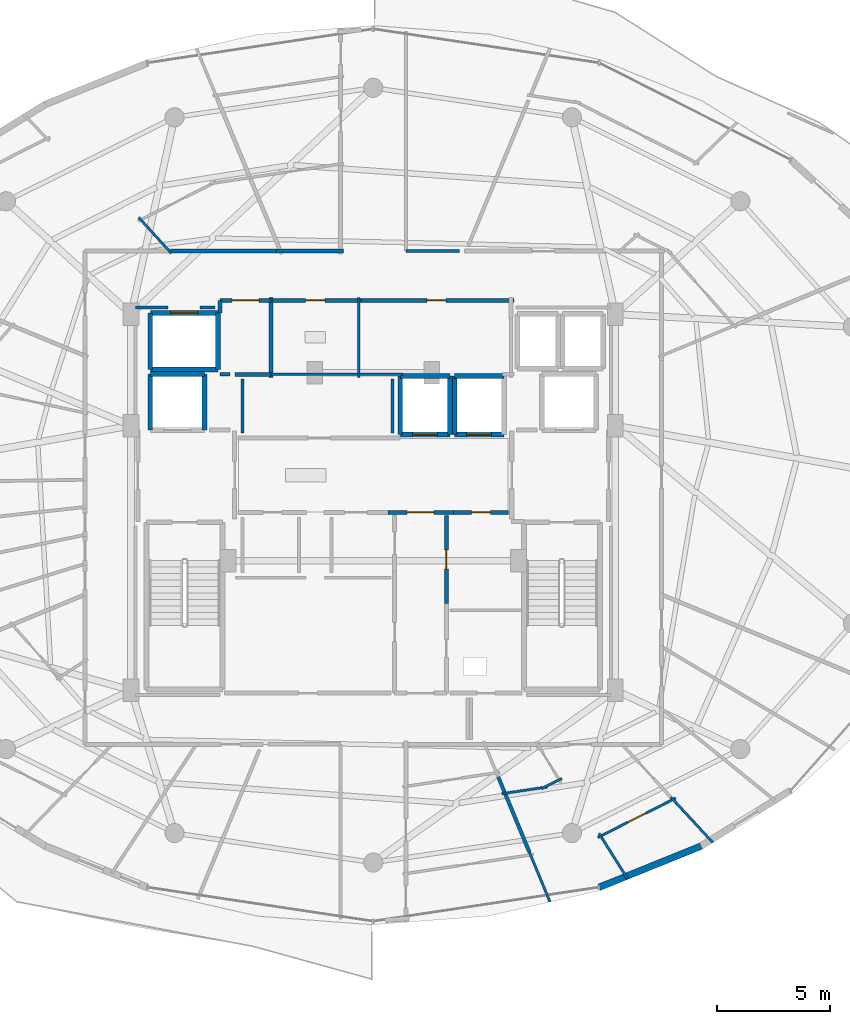
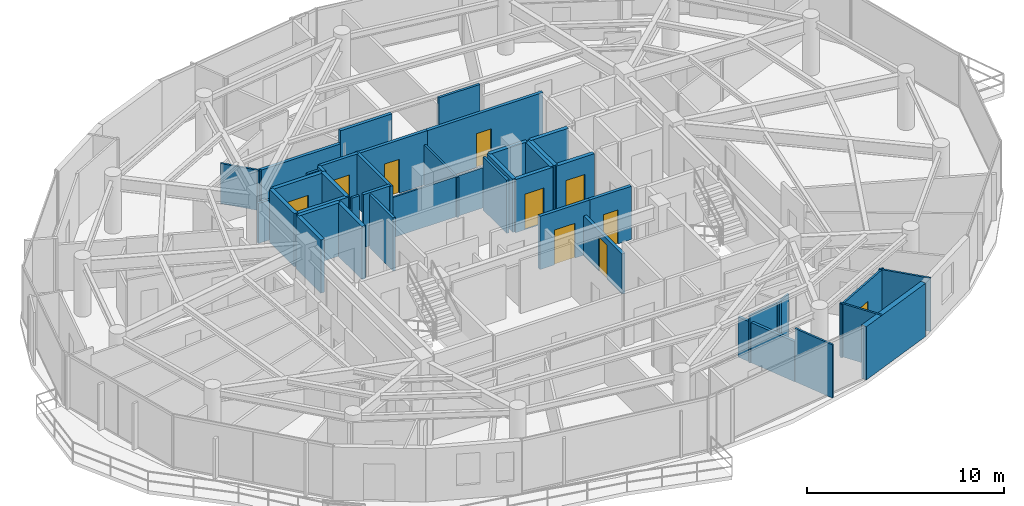
# One storey, part 26 of 32: 43 walls, 10 doors, 10 openings.
"""IFC4 building model written with IfcOpenShell, lengths in metres."""

from ifc_helpers import new_model, si_unit, direction, frame, frame_2d, origin, place, context, subcontext, project, spatial, rectangle, extrude, material, layer, layer_set, type_object, element, fill, save


model = new_model("IFC4")

# Units and contexts
model_context = context("Model", 3, precision=1e-05, world=origin(), true_north=direction((0.0, 1.0)))
body_context = subcontext(model_context, "Body", "Model", "MODEL_VIEW")
ifc_project = project(units=[si_unit("LENGTHUNIT", "METRE"), si_unit("AREAUNIT", "SQUARE_METRE"), si_unit("VOLUMEUNIT", "CUBIC_METRE"), si_unit("PLANEANGLEUNIT", "RADIAN"), si_unit("MASSUNIT", "GRAM", prefix="KILO")], contexts=[model_context])

# Site, building, storey
site_placement = place(None, origin())
site = spatial("IfcSite", under=ifc_project, at=site_placement, CompositionType="ELEMENT")
building_placement = place(site_placement, origin())
building = spatial("IfcBuilding", under=site, at=building_placement, Name="Vorneva Point Tower", CompositionType="ELEMENT")
storey_placement = place(building_placement, frame((0.0, 0.0, 269.75)))
storey = spatial("IfcBuildingStorey", under=building, at=storey_placement, Name="L73", CompositionType="ELEMENT", Elevation=269.75)

# Walls
ifc_material_1 = material(Name="Concrete B60 (C50/60)", Category="concrete")
ifc_layer_1 = layer(ifc_material_1, 0.35009765625)
ifc_layer_set_1 = layer_set([ifc_layer_1], Name="Concrete B60 (C50/60)")
wall_type_1 = type_object("IfcWallType", Name="WL-CORE-350", PredefinedType="SHEAR", material=ifc_layer_set_1)
wall_1_placement = place(storey_placement, frame((30.5, 28.0, 0.0), z_axis=(0.0, 0.0, 1.0), x_axis=(0.0, 1.0, 0.0)))
element("IfcWall", 1, at=wall_1_placement, inside=storey, type_object=wall_type_1, Name="L73 Lift FFL1 Shaft Wall +X", PredefinedType="SHEAR", context=body_context, shape_type="SweptSolid", body=[
    extrude(rectangle(XDim=2.5, YDim=0.219970703125, at=frame_2d((1.25, 0.0))), origin(), (0.0, 0.0, 1.0), 3.2900390625),
])
wall_2_placement = place(storey_placement, frame((30.5, 30.5, 0.0), z_axis=(0.0, 0.0, 1.0), x_axis=(-1.0, 0.0, 0.0)))
element("IfcWall", 2, at=wall_2_placement, inside=storey, type_object=wall_type_1, Name="L73 Lift FFL1 Shaft Wall +Y", PredefinedType="SHEAR", context=body_context, shape_type="SweptSolid", body=[
    extrude(rectangle(XDim=2.39990234375, YDim=0.219970703125, at=frame_2d((1.199951171875, 0.0))), origin(), (0.0, 0.0, 1.0), 3.2900390625),
])
wall_3_placement = place(storey_placement, frame((28.10009765625, 30.5, 0.0), z_axis=(0.0, 0.0, 1.0), x_axis=(0.0, -1.0, 0.0)))
element("IfcWall", 3, at=wall_3_placement, inside=storey, type_object=wall_type_1, Name="L73 Lift FFL1 Shaft Wall -X", PredefinedType="SHEAR", context=body_context, shape_type="SweptSolid", body=[
    extrude(rectangle(XDim=2.5, YDim=0.219970703125, at=frame_2d((1.25, 0.0))), origin(), (0.0, 0.0, 1.0), 3.2900390625),
])
ifc_material_2 = material(Name="Precast concrete B50 (C40/50)", Category="concrete")
ifc_layer_2 = layer(ifc_material_2, 0.300048828125)
ifc_layer_set_2 = layer_set([ifc_layer_2], Name="Precast concrete B50 (C40/50)")
wall_type_2 = type_object("IfcWallType", Name="WL-EXT-300", PredefinedType="STANDARD", material=ifc_layer_set_2)
wall_4_placement = place(storey_placement, frame((48.0263671875, 7.697998046875, 0.0), z_axis=(0.0, 0.0, 1.0), x_axis=(0.927147375511, 0.374696869594, 0.0)))
element("IfcWall", 4, at=wall_4_placement, inside=storey, type_object=wall_type_2, Name="L73 Pale-Metal Facade Spandrel Wall 14.1", PredefinedType="STANDARD", context=body_context, shape_type="SweptSolid", body=[
    extrude(rectangle(XDim=4.885498046875, YDim=0.300048828125, at=frame_2d((2.44287109375, 0.0))), origin(), (0.0, 0.0, 1.0), 3.2900390625),
])
ifc_material_3 = material(Name="Fire-rated acoustic gypsum stud partition", Category="gypsum")
ifc_layer_3 = layer(ifc_material_3, 0.110107421875)
ifc_layer_set_3 = layer_set([ifc_layer_3], Name="Fire-rated acoustic gypsum stud partition")
wall_type_3 = type_object("IfcWallType", Name="WL-PART-110", PredefinedType="PARTITIONING", material=ifc_layer_set_3)
wall_5_placement = place(storey_placement, frame((37.35009765625, 30.340087890625, 0.0), z_axis=(0.0, 0.0, 1.0), x_axis=(0.0, 1.0, 0.0)))
element("IfcWall", 5, at=wall_5_placement, inside=storey, type_object=wall_type_3, Name="L73 Interior Partition 022", PredefinedType="PARTITIONING", context=body_context, shape_type="SweptSolid", body=[
    extrude(rectangle(XDim=3.559814453125, YDim=0.110107421875, at=frame_2d((1.77978515625, 0.0))), origin(), (0.0, 0.0, 1.0), 2.48193359375),
])
wall_6_placement = place(storey_placement, frame((33.360107421875, 30.47998046875, 0.0), z_axis=(0.0, 0.0, 1.0), x_axis=(1.0, 0.0, 0.0)))
element("IfcWall", 6, at=wall_6_placement, inside=storey, type_object=wall_type_3, Name="L73 Interior Partition 023", PredefinedType="PARTITIONING", context=body_context, shape_type="SweptSolid", body=[
    extrude(rectangle(XDim=4.114990234375, YDim=0.110107421875, at=frame_2d((2.0576171875, 0.0))), origin(), (0.0, 0.0, 1.0), 2.48193359375),
])
wall_7_placement = place(storey_placement, frame((37.364990234375, 30.47998046875, 0.0), z_axis=(0.0, 0.0, 1.0), x_axis=(1.0, 0.0, 0.0)))
element("IfcWall", 7, at=wall_7_placement, inside=storey, type_object=wall_type_3, Name="L73 Interior Partition 025", PredefinedType="PARTITIONING", context=body_context, shape_type="SweptSolid", body=[
    extrude(rectangle(XDim=1.955078125, YDim=0.110107421875, at=frame_2d((0.9775390625, 0.0))), origin(), (0.0, 0.0, 1.0), 2.48193359375),
])
wall_8_placement = place(storey_placement, frame((29.040283203125, 35.846435546875, 0.0), z_axis=(0.0, 0.0, 1.0), x_axis=(-0.672886377769, 0.739745850014, 0.0)))
element("IfcWall", 8, at=wall_8_placement, inside=storey, type_object=wall_type_3, Name="L73 Interior Partition 078", PredefinedType="PARTITIONING", context=body_context, shape_type="SweptSolid", body=[
    extrude(rectangle(XDim=2.16162109375, YDim=0.110107421875, at=frame_2d((1.080810546875, 0.0))), origin(), (0.0, 0.0, 1.0), 2.48193359375),
])
wall_9_placement = place(storey_placement, frame((44.929443359375, 9.271240234375, 0.0), z_axis=(0.0, 0.0, 1.0), x_axis=(0.382798716902, -0.923831771665, 0.0)))
element("IfcWall", 9, at=wall_9_placement, inside=storey, type_object=wall_type_3, Name="L73 Interior Partition 113", PredefinedType="PARTITIONING", context=body_context, shape_type="SweptSolid", body=[
    extrude(rectangle(XDim=2.396240234375, YDim=0.110107421875, at=frame_2d((1.1982421875, 0.0))), origin(), (0.0, 0.0, 1.0), 3.2900390625),
])
wall_10_placement = place(storey_placement, frame((46.384033203125, 12.5380859375, 0.0), z_axis=(0.0, 0.0, 1.0), x_axis=(-0.892613755874, -0.450822229737, 0.0)))
element("IfcWall", 10, at=wall_10_placement, inside=storey, type_object=wall_type_3, Name="L73 Interior Partition 117", PredefinedType="PARTITIONING", context=body_context, shape_type="SweptSolid", body=[
    extrude(rectangle(XDim=1.02734375, YDim=0.110107421875, at=frame_2d((0.513671875, 0.0))), origin(), (0.0, 0.0, 1.0), 2.93603515625),
])
wall_11_placement = place(storey_placement, frame((45.73046875, 12.15869140625, 0.0), z_axis=(0.0, 0.0, 1.0), x_axis=(-0.98887923552, -0.148720736812, 0.0)))
element("IfcWall", 11, at=wall_11_placement, inside=storey, type_object=wall_type_3, Name="L73 Interior Partition 118", PredefinedType="PARTITIONING", context=body_context, shape_type="SweptSolid", body=[
    extrude(rectangle(XDim=2.04052734375, YDim=0.110107421875, at=frame_2d((1.020263671875, 0.0))), origin(), (0.0, 0.0, 1.0), 2.93603515625),
])
wall_12_placement = place(storey_placement, frame((49.302734375, 8.066650390625, 0.0), z_axis=(0.0, 0.0, 1.0), x_axis=(-0.53356042882, 0.845761945702, 0.0)))
element("IfcWall", 12, at=wall_12_placement, inside=storey, type_object=wall_type_3, Name="L73 Interior Partition 119", PredefinedType="PARTITIONING", context=body_context, shape_type="SweptSolid", body=[
    extrude(rectangle(XDim=2.39990234375, YDim=0.110107421875, at=frame_2d((1.199951171875, 0.0))), origin(), (0.0, 0.0, 1.0), 3.2900390625),
])

# Wall, opening, door
wall_13_placement = place(storey_placement, frame((47.971923828125, 9.914794921875, 0.0), z_axis=(0.0, 0.0, 1.0), x_axis=(0.892543730476, 0.450960851059, 0.0)))
wall_13 = element("IfcWall", 13, at=wall_13_placement, inside=storey, type_object=wall_type_3, Name="L73 Interior Partition 120", PredefinedType="PARTITIONING", context=body_context, shape_type="SweptSolid", body=[
    extrude(rectangle(XDim=3.87890625, YDim=0.110107421875, at=frame_2d((1.939453125, 0.0))), origin(), (0.0, 0.0, 1.0), 3.2900390625),
])
opening_1_placement = place(wall_13_placement, frame((1.489501953125, 0.0, 0.0)))
opening_1 = element("IfcOpeningElement", 14, at=opening_1_placement, cuts=wall_13, Name="Opening ID-01", PredefinedType="OPENING", context=body_context, shape_type="SweptSolid", body=[
    extrude(rectangle(XDim=0.89990234375, YDim=2.10009765625, at=frame_2d((0.449951171875, 1.050048828125))), frame((0.0, 0.06982421875, 0.0), z_axis=(0.0, -1.0, 0.0), x_axis=(1.0, 0.0, 0.0)), (0.0, 0.0, 1.0), 0.139892578125),
])
ifc_material_4 = material(Name="Engineered oak fire-rated door leaf", Category="wood")
door_type_1 = type_object("IfcDoorType", Name="DR-ROOM-900", OperationType="NOTDEFINED", PredefinedType="DOOR", material=ifc_material_4)
door_1_placement = place(opening_1_placement, origin())
door_1 = element("IfcDoor", 15, at=door_1_placement, inside=storey, type_object=door_type_1, Name="L73 Door Living and Dining Room L73-07 / Kitchen L73-07", OperationType="SINGLE_SWING_LEFT", OverallHeight=2.10009765625, OverallWidth=0.89990234375, PredefinedType="DOOR", context=body_context, shape_type="SweptSolid", body=[
    extrude(rectangle(XDim=0.89990234375, YDim=2.10009765625, at=frame_2d((0.449951171875, 1.050048828125))), frame((0.0, 0.02490234375, 0.0), z_axis=(0.0, -1.0, 0.0), x_axis=(1.0, 0.0, 0.0)), (0.0, 0.0, 1.0), 0.050048828125),
])
fill(opening_1, door_1)

# Walls
wall_14_placement = place(storey_placement, frame((51.2138671875, 11.703857421875, 0.0), z_axis=(0.0, 0.0, 1.0), x_axis=(0.678974823397, -0.734161555241, 0.0)))
element("IfcWall", 16, at=wall_14_placement, inside=storey, type_object=wall_type_3, Name="L73 Interior Partition 121", PredefinedType="PARTITIONING", context=body_context, shape_type="SweptSolid", body=[
    extrude(rectangle(XDim=2.742919921875, YDim=0.110107421875, at=frame_2d((1.37158203125, 0.0))), origin(), (0.0, 0.0, 1.0), 3.2900390625),
])
ifc_layer_4 = layer(ifc_material_3, 0.139892578125)
ifc_layer_set_4 = layer_set([ifc_layer_4], Name="Fire-rated acoustic gypsum stud partition")
wall_type_4 = type_object("IfcWallType", Name="WL-PART-140", PredefinedType="PARTITIONING", material=ifc_layer_set_4)
wall_15_placement = place(storey_placement, frame((31.199951171875, 30.47998046875, 0.0), z_axis=(0.0, 0.0, 1.0), x_axis=(1.0, 0.0, 0.0)))
element("IfcWall", 17, at=wall_15_placement, inside=storey, type_object=wall_type_4, Name="L73 Interior Closure Partition 128", PredefinedType="PARTITIONING", context=body_context, shape_type="SweptSolid", body=[
    extrude(rectangle(XDim=0.449951171875, YDim=0.139892578125, at=frame_2d((0.22509765625, 0.0))), origin(), (0.0, 0.0, 1.0), 3.2900390625),
])
for number, where, z_axis, x_axis, name in (
    (18, (32.199951171875, 30.260009765625, 0.0), (0.0, 0.0, 1.0), (0.0, -1.0, 0.0), "L73 Interior Closure Partition 131"),
    (19, (38.85009765625, 27.8701171875, 0.0), (0.0, 0.0, 1.0), (0.0, 1.0, 0.0), "L73 Interior Closure Partition 132"),
):
    element("IfcWall", number, at=place(storey_placement, frame(where, z_axis=z_axis, x_axis=x_axis)), inside=storey, type_object=wall_type_4, Name=name, PredefinedType="PARTITIONING", context=body_context, shape_type="SweptSolid", body=[
        extrude(rectangle(XDim=2.389892578125, YDim=0.139892578125, at=frame_2d((1.19482421875, 0.0))), origin(), (0.0, 0.0, 1.0), 3.2900390625),
    ])
wall_16_placement = place(storey_placement, frame((41.841064453125, 35.949951171875, 0.0), z_axis=(0.0, 0.0, 1.0), x_axis=(-1.0, 0.0, 0.0)))
element("IfcWall", 20, at=wall_16_placement, inside=storey, type_object=wall_type_4, Name="L73 Interior Closure Partition 138", PredefinedType="PARTITIONING", context=body_context, shape_type="SweptSolid", body=[
    extrude(rectangle(XDim=2.39111328125, YDim=0.139892578125, at=frame_2d((1.195556640625, 0.0))), origin(), (0.0, 0.0, 1.0), 3.2900390625),
])
wall_17_placement = place(storey_placement, frame((30.97998046875, 33.449951171875, 0.0), z_axis=(0.0, 0.0, 1.0), x_axis=(-1.0, 0.0, 0.0)))
element("IfcWall", 21, at=wall_17_placement, inside=storey, type_object=wall_type_4, Name="L73 Interior Closure Partition 145", PredefinedType="PARTITIONING", context=body_context, shape_type="SweptSolid", body=[
    extrude(rectangle(XDim=0.674072265625, YDim=0.139892578125, at=frame_2d((0.3369140625, 0.0))), origin(), (0.0, 0.0, 1.0), 3.2900390625),
])
wall_18_placement = place(storey_placement, frame((28.89404296875, 33.449951171875, 0.0), z_axis=(0.0, 0.0, 1.0), x_axis=(-1.0, 0.0, 0.0)))
element("IfcWall", 22, at=wall_18_placement, inside=storey, type_object=wall_type_4, Name="L73 Interior Closure Partition 146", PredefinedType="PARTITIONING", context=body_context, shape_type="SweptSolid", body=[
    extrude(rectangle(XDim=1.444091796875, YDim=0.139892578125, at=frame_2d((0.72216796875, 0.0))), origin(), (0.0, 0.0, 1.0), 2.48193359375),
])
ifc_layer_5 = layer(ifc_material_3, 0.159912109375)
ifc_layer_set_5 = layer_set([ifc_layer_5], Name="Fire-rated acoustic gypsum stud partition")
wall_type_5 = type_object("IfcWallType", Name="WL-PART-160", PredefinedType="PARTITIONING", material=ifc_layer_set_5)
wall_19_placement = place(storey_placement, frame((44.9296875, 9.271484375, 0.0), z_axis=(0.0, 0.0, 1.0), x_axis=(-0.382744455498, 0.923854253541, 0.0)))
element("IfcWall", 23, at=wall_19_placement, inside=storey, type_object=wall_type_5, Name="L73 Interior Partition 115", PredefinedType="PARTITIONING", context=body_context, shape_type="SweptSolid", body=[
    extrude(rectangle(XDim=3.60595703125, YDim=0.159912109375, at=frame_2d((1.802978515625, 0.0))), origin(), (0.0, 0.0, 1.0), 2.48193359375),
])
ifc_material_5 = material(Name="Autoclaved aerated concrete blockwork", Category="masonry")
ifc_layer_6 = layer(ifc_material_5, 0.179931640625)
ifc_layer_set_6 = layer_set([ifc_layer_6], Name="Autoclaved aerated concrete blockwork")
wall_type_6 = type_object("IfcWallType", Name="WL-PART-180", PredefinedType="PARTITIONING", material=ifc_layer_set_6)
wall_20_placement = place(storey_placement, frame((33.469970703125, 30.340087890625, 0.0), z_axis=(0.0, 0.0, 1.0), x_axis=(0.0, 1.0, 0.0)))
element("IfcWall", 24, at=wall_20_placement, inside=storey, type_object=wall_type_6, Name="L73 Interior Partition 006", PredefinedType="PARTITIONING", context=body_context, shape_type="SweptSolid", body=[
    extrude(rectangle(XDim=3.559814453125, YDim=0.179931640625, at=frame_2d((1.77978515625, 0.0))), origin(), (0.0, 0.0, 1.0), 3.2900390625),
])
wall_21_placement = place(storey_placement, frame((31.8701171875, 30.47998046875, 0.0), z_axis=(0.0, 0.0, 1.0), x_axis=(1.0, 0.0, 0.0)))
element("IfcWall", 25, at=wall_21_placement, inside=storey, type_object=wall_type_6, Name="L73 Interior Partition 007", PredefinedType="PARTITIONING", context=body_context, shape_type="SweptSolid", body=[
    extrude(rectangle(XDim=1.599853515625, YDim=0.179931640625, at=frame_2d((0.7998046875, 0.0))), origin(), (0.0, 0.0, 1.0), 3.2900390625),
])

# Wall, opening, door
wall_22_placement = place(storey_placement, frame((33.469970703125, 33.760009765625, 0.0), z_axis=(0.0, 0.0, 1.0), x_axis=(-1.0, 0.0, 0.0)))
wall_22 = element("IfcWall", 26, at=wall_22_placement, inside=storey, type_object=wall_type_6, Name="L73 Interior Partition 008", PredefinedType="PARTITIONING", context=body_context, shape_type="SweptSolid", body=[
    extrude(rectangle(XDim=2.27001953125, YDim=0.179931640625, at=frame_2d((1.135009765625, 0.0))), origin(), (0.0, 0.0, 1.0), 3.2900390625),
])
opening_2_placement = place(wall_22_placement, frame((0.534912109375, 0.0, 0.0)))
opening_2 = element("IfcOpeningElement", 27, at=opening_2_placement, cuts=wall_22, Name="Opening FD-02", PredefinedType="OPENING", context=body_context, shape_type="SweptSolid", body=[
    extrude(rectangle(XDim=1.199951171875, YDim=2.14990234375, at=frame_2d((0.60009765625, 1.074951171875))), frame((0.0, 0.10498046875, 0.0), z_axis=(0.0, -1.0, 0.0), x_axis=(1.0, 0.0, 0.0)), (0.0, 0.0, 1.0), 0.209716796875),
])
ifc_material_6 = material(Name="Fire-rated powder-coated steel", Category="steel")
door_type_2 = type_object("IfcDoorType", Name="DR-FFL-1200", OperationType="NOTDEFINED", PredefinedType="DOOR", material=ifc_material_6)
door_2_placement = place(opening_2_placement, origin())
door_2 = element("IfcDoor", 28, at=door_2_placement, inside=storey, type_object=door_type_2, Name="L73 Door Service Lift Lobby / L73 Circulation Corridor", OperationType="SINGLE_SWING_RIGHT", OverallHeight=2.14990234375, OverallWidth=1.199951171875, PredefinedType="DOOR", context=body_context, shape_type="SweptSolid", body=[
    extrude(rectangle(XDim=1.199951171875, YDim=2.14990234375, at=frame_2d((0.60009765625, 1.074951171875))), frame((0.0, 0.02490234375, 0.0), z_axis=(0.0, -1.0, 0.0), x_axis=(1.0, 0.0, 0.0)), (0.0, 0.0, 1.0), 0.050048828125),
])
fill(opening_2, door_2)

# Wall
wall_23_placement = place(storey_placement, frame((31.199951171875, 33.760009765625, 0.0), z_axis=(0.0, 0.0, 1.0), x_axis=(0.0, -1.0, 0.0)))
element("IfcWall", 29, at=wall_23_placement, inside=storey, type_object=wall_type_6, Name="L73 Interior Partition 009", PredefinedType="PARTITIONING", context=body_context, shape_type="SweptSolid", body=[
    extrude(rectangle(XDim=0.56005859375, YDim=0.179931640625, at=frame_2d((0.280029296875, 0.0))), origin(), (0.0, 0.0, 1.0), 3.2900390625),
])

# Wall, opening, door
wall_24_placement = place(storey_placement, frame((38.64501953125, 24.35009765625, 0.0), z_axis=(0.0, 0.0, 1.0), x_axis=(1.0, 0.0, 0.0)))
wall_24 = element("IfcWall", 30, at=wall_24_placement, inside=storey, type_object=wall_type_6, Name="L73 Interior Partition 010", PredefinedType="PARTITIONING", context=body_context, shape_type="SweptSolid", body=[
    extrude(rectangle(XDim=2.909912109375, YDim=0.179931640625, at=frame_2d((1.455078125, 0.0))), origin(), (0.0, 0.0, 1.0), 3.2900390625),
])
opening_3_placement = place(wall_24_placement, frame((0.85498046875, 0.0, 0.0)))
opening_3 = element("IfcOpeningElement", 31, at=opening_3_placement, cuts=wall_24, Name="Opening FD-02", PredefinedType="OPENING", context=body_context, shape_type="SweptSolid", body=[
    extrude(rectangle(XDim=1.199951171875, YDim=2.14990234375, at=frame_2d((0.60009765625, 1.074951171875))), frame((0.0, 0.10498046875, 0.0), z_axis=(0.0, -1.0, 0.0), x_axis=(1.0, 0.0, 0.0)), (0.0, 0.0, 1.0), 0.209716796875),
])
door_3_placement = place(opening_3_placement, origin())
door_3 = element("IfcDoor", 32, at=door_3_placement, inside=storey, type_object=door_type_2, Name="L73 Door Central Lift Lobby / Core Service Lobby", OperationType="SINGLE_SWING_LEFT", OverallHeight=2.14990234375, OverallWidth=1.199951171875, PredefinedType="DOOR", context=body_context, shape_type="SweptSolid", body=[
    extrude(rectangle(XDim=1.199951171875, YDim=2.14990234375, at=frame_2d((0.60009765625, 1.074951171875))), frame((0.0, 0.02490234375, 0.0), z_axis=(0.0, -1.0, 0.0), x_axis=(1.0, 0.0, 0.0)), (0.0, 0.0, 1.0), 0.050048828125),
])
fill(opening_3, door_3)

wall_25_placement = place(storey_placement, frame((41.554931640625, 24.35009765625, 0.0), z_axis=(0.0, 0.0, 1.0), x_axis=(1.0, 0.0, 0.0)))
wall_25 = element("IfcWall", 33, at=wall_25_placement, inside=storey, type_object=wall_type_6, Name="L73 Interior Partition 011", PredefinedType="PARTITIONING", context=body_context, shape_type="SweptSolid", body=[
    extrude(rectangle(XDim=2.445068359375, YDim=0.179931640625, at=frame_2d((1.22265625, 0.0))), origin(), (0.0, 0.0, 1.0), 3.2900390625),
])
opening_4_placement = place(wall_25_placement, frame((0.797607421875, 0.0, 0.0)))
opening_4 = element("IfcOpeningElement", 34, at=opening_4_placement, cuts=wall_25, Name="Opening ID-02", PredefinedType="OPENING", context=body_context, shape_type="SweptSolid", body=[
    extrude(rectangle(XDim=0.85009765625, YDim=2.10009765625, at=frame_2d((0.425048828125, 1.050048828125))), frame((0.0, 0.10498046875, 0.0), z_axis=(0.0, -1.0, 0.0), x_axis=(1.0, 0.0, 0.0)), (0.0, 0.0, 1.0), 0.209716796875),
])
door_type_3 = type_object("IfcDoorType", Name="DR-BATH-850", OperationType="NOTDEFINED", PredefinedType="DOOR", material=ifc_material_4)
door_4_placement = place(opening_4_placement, origin())
door_4 = element("IfcDoor", 35, at=door_4_placement, inside=storey, type_object=door_type_3, Name="L73 Door Central Lift Lobby / Cleaners Store", OperationType="SINGLE_SWING_RIGHT", OverallHeight=2.10009765625, OverallWidth=0.85009765625, PredefinedType="DOOR", context=body_context, shape_type="SweptSolid", body=[
    extrude(rectangle(XDim=0.85009765625, YDim=2.10009765625, at=frame_2d((0.425048828125, 1.050048828125))), frame((0.0, 0.02490234375, 0.0), z_axis=(0.0, -1.0, 0.0), x_axis=(1.0, 0.0, 0.0)), (0.0, 0.0, 1.0), 0.050048828125),
])
fill(opening_4, door_4)

wall_26_placement = place(storey_placement, frame((41.25, 20.304931640625, 0.0), z_axis=(0.0, 0.0, 1.0), x_axis=(0.0, 1.0, 0.0)))
wall_26 = element("IfcWall", 36, at=wall_26_placement, inside=storey, type_object=wall_type_6, Name="L73 Interior Partition 016", PredefinedType="PARTITIONING", context=body_context, shape_type="SweptSolid", body=[
    extrude(rectangle(XDim=3.89501953125, YDim=0.179931640625, at=frame_2d((1.947509765625, 0.0))), origin(), (0.0, 0.0, 1.0), 2.48193359375),
])
opening_5_placement = place(wall_26_placement, frame((1.5224609375, 0.0, 0.0)))
opening_5 = element("IfcOpeningElement", 37, at=opening_5_placement, cuts=wall_26, Name="Opening ID-02", PredefinedType="OPENING", context=body_context, shape_type="SweptSolid", body=[
    extrude(rectangle(XDim=0.85009765625, YDim=2.10009765625, at=frame_2d((0.425048828125, 1.050048828125))), frame((0.0, 0.10498046875, 0.0), z_axis=(0.0, -1.0, 0.0), x_axis=(1.0, 0.0, 0.0)), (0.0, 0.0, 1.0), 0.209716796875),
])
door_5_placement = place(opening_5_placement, origin())
door_5 = element("IfcDoor", 38, at=door_5_placement, inside=storey, type_object=door_type_3, Name="L73 Door Core Service Lobby / Cleaners Store", OperationType="SINGLE_SWING_LEFT", OverallHeight=2.10009765625, OverallWidth=0.85009765625, PredefinedType="DOOR", context=body_context, shape_type="SweptSolid", body=[
    extrude(rectangle(XDim=0.85009765625, YDim=2.10009765625, at=frame_2d((0.425048828125, 1.050048828125))), frame((0.0, 0.02490234375, 0.0), z_axis=(0.0, -1.0, 0.0), x_axis=(1.0, 0.0, 0.0)), (0.0, 0.0, 1.0), 0.050048828125),
])
fill(opening_5, door_5)

wall_27_placement = place(storey_placement, frame((37.489990234375, 33.760009765625, 0.0), z_axis=(0.0, 0.0, 1.0), x_axis=(-1.0, 0.0, 0.0)))
wall_27 = element("IfcWall", 39, at=wall_27_placement, inside=storey, type_object=wall_type_6, Name="L73 Interior Partition 024", PredefinedType="PARTITIONING", context=body_context, shape_type="SweptSolid", body=[
    extrude(rectangle(XDim=4.1298828125, YDim=0.179931640625, at=frame_2d((2.06494140625, 0.0))), origin(), (0.0, 0.0, 1.0), 3.2900390625),
])
opening_6_placement = place(wall_27_placement, frame((1.639892578125, 0.0, 0.0)))
opening_6 = element("IfcOpeningElement", 40, at=opening_6_placement, cuts=wall_27, Name="Opening ID-02", PredefinedType="OPENING", context=body_context, shape_type="SweptSolid", body=[
    extrude(rectangle(XDim=0.85009765625, YDim=2.10009765625, at=frame_2d((0.425048828125, 1.050048828125))), frame((0.0, 0.10498046875, 0.0), z_axis=(0.0, -1.0, 0.0), x_axis=(1.0, 0.0, 0.0)), (0.0, 0.0, 1.0), 0.209716796875),
])
door_6_placement = place(opening_6_placement, origin())
door_6 = element("IfcDoor", 41, at=door_6_placement, inside=storey, type_object=door_type_3, Name="L73 Door Accessible WC / L73 Circulation Corridor", OperationType="SINGLE_SWING_RIGHT", OverallHeight=2.10009765625, OverallWidth=0.85009765625, PredefinedType="DOOR", context=body_context, shape_type="SweptSolid", body=[
    extrude(rectangle(XDim=0.85009765625, YDim=2.10009765625, at=frame_2d((0.425048828125, 1.050048828125))), frame((0.0, 0.02490234375, 0.0), z_axis=(0.0, -1.0, 0.0), x_axis=(1.0, 0.0, 0.0)), (0.0, 0.0, 1.0), 0.050048828125),
])
fill(opening_6, door_6)

wall_28_placement = place(storey_placement, frame((44.260009765625, 33.760009765625, 0.0), z_axis=(0.0, 0.0, 1.0), x_axis=(-1.0, 0.0, 0.0)))
wall_28 = element("IfcWall", 42, at=wall_28_placement, inside=storey, type_object=wall_type_6, Name="L73 Interior Partition 026", PredefinedType="PARTITIONING", context=body_context, shape_type="SweptSolid", body=[
    extrude(rectangle(XDim=6.909912109375, YDim=0.179931640625, at=frame_2d((3.455078125, 0.0))), origin(), (0.0, 0.0, 1.0), 3.2900390625),
])
opening_7_placement = place(wall_28_placement, frame((3.030029296875, 0.0, 0.0)))
opening_7 = element("IfcOpeningElement", 43, at=opening_7_placement, cuts=wall_28, Name="Opening ID-02", PredefinedType="OPENING", context=body_context, shape_type="SweptSolid", body=[
    extrude(rectangle(XDim=0.85009765625, YDim=2.10009765625, at=frame_2d((0.425048828125, 1.050048828125))), frame((0.0, 0.10498046875, 0.0), z_axis=(0.0, -1.0, 0.0), x_axis=(1.0, 0.0, 0.0)), (0.0, 0.0, 1.0), 0.209716796875),
])
door_7_placement = place(opening_7_placement, origin())
door_7 = element("IfcDoor", 44, at=door_7_placement, inside=storey, type_object=door_type_3, Name="L73 Door Public Restroom / L73 Circulation Corridor", OperationType="SINGLE_SWING_LEFT", OverallHeight=2.10009765625, OverallWidth=0.85009765625, PredefinedType="DOOR", context=body_context, shape_type="SweptSolid", body=[
    extrude(rectangle(XDim=0.85009765625, YDim=2.10009765625, at=frame_2d((0.425048828125, 1.050048828125))), frame((0.0, 0.02490234375, 0.0), z_axis=(0.0, -1.0, 0.0), x_axis=(1.0, 0.0, 0.0)), (0.0, 0.0, 1.0), 0.050048828125),
])
fill(opening_7, door_7)

# Walls
wall_29_placement = place(storey_placement, frame((36.68994140625, 35.949951171875, 0.0), z_axis=(0.0, 0.0, 1.0), x_axis=(-1.0, 0.0, 0.0)))
element("IfcWall", 45, at=wall_29_placement, inside=storey, type_object=wall_type_6, Name="L73 Interior Partition 036", PredefinedType="PARTITIONING", context=body_context, shape_type="SweptSolid", body=[
    extrude(rectangle(XDim=3.015869140625, YDim=0.179931640625, at=frame_2d((1.5078125, 0.0))), origin(), (0.0, 0.0, 1.0), 3.2900390625),
])
wall_30_placement = place(storey_placement, frame((33.81396484375, 35.949951171875, 0.0), z_axis=(0.0, 0.0, 1.0), x_axis=(-1.0, 0.0, 0.0)))
element("IfcWall", 46, at=wall_30_placement, inside=storey, type_object=wall_type_6, Name="L73 Interior Partition 041", PredefinedType="PARTITIONING", context=body_context, shape_type="SweptSolid", body=[
    extrude(rectangle(XDim=4.947998046875, YDim=0.179931640625, at=frame_2d((2.47412109375, 0.0))), origin(), (0.0, 0.0, 1.0), 2.48193359375),
])

# Wall, opening, door
ifc_material_7 = material(Name="Concrete B50 (C40/50)", Category="concrete")
ifc_layer_7 = layer(ifc_material_7, 0.219970703125)
ifc_layer_set_7 = layer_set([ifc_layer_7], Name="Concrete B50 (C40/50)")
wall_type_7 = type_object("IfcWallType", Name="WL-SHFT-220", PredefinedType="SOLIDWALL", material=ifc_layer_set_7)
wall_31_placement = place(storey_placement, frame((39.199951171875, 27.800048828125, 0.0), z_axis=(0.0, 0.0, 1.0), x_axis=(1.0, 0.0, 0.0)))
wall_31 = element("IfcWall", 47, at=wall_31_placement, inside=storey, type_object=wall_type_7, Name="L73 Lift PL7 Shaft Wall -Y", PredefinedType="SOLIDWALL", context=body_context, shape_type="SweptSolid", body=[
    extrude(rectangle(XDim=2.199951171875, YDim=0.219970703125, at=frame_2d((1.10009765625, 0.0))), origin(), (0.0, 0.0, 1.0), 3.2900390625),
])
opening_8_placement = place(wall_31_placement, frame((0.550048828125, 0.0, 0.0)))
opening_8 = element("IfcOpeningElement", 48, at=opening_8_placement, cuts=wall_31, Name="Opening LD-01", PredefinedType="OPENING", context=body_context, shape_type="SweptSolid", body=[
    extrude(rectangle(XDim=1.10009765625, YDim=2.199951171875, at=frame_2d((0.550048828125, 1.10009765625))), frame((0.0, 0.125, 0.0), z_axis=(0.0, -1.0, 0.0), x_axis=(1.0, 0.0, 0.0)), (0.0, 0.0, 1.0), 0.249755859375),
])
ifc_material_8 = material(Name="Brushed stainless steel S304", Category="steel")
door_type_4 = type_object("IfcDoorType", Name="LD-PASS-1100", OperationType="SLIDING_TO_LEFT", PredefinedType="DOOR", material=ifc_material_8)
door_8_placement = place(opening_8_placement, origin())
door_8 = element("IfcDoor", 49, at=door_8_placement, inside=storey, type_object=door_type_4, Name="L73 Lift PL7 Sliding Landing Door", OperationType="SLIDING_TO_LEFT", OverallHeight=2.199951171875, OverallWidth=1.10009765625, PredefinedType="DOOR", context=body_context, shape_type="SweptSolid", body=[
    extrude(rectangle(XDim=1.10009765625, YDim=2.199951171875, at=frame_2d((0.550048828125, 1.10009765625))), frame((0.0, 0.02490234375, 0.0), z_axis=(0.0, -1.0, 0.0), x_axis=(1.0, 0.0, 0.0)), (0.0, 0.0, 1.0), 0.050048828125),
])
fill(opening_8, door_8)

# Walls
wall_32_placement = place(storey_placement, frame((41.39990234375, 27.800048828125, 0.0), z_axis=(0.0, 0.0, 1.0), x_axis=(0.0, 1.0, 0.0)))
element("IfcWall", 50, at=wall_32_placement, inside=storey, type_object=wall_type_7, Name="L73 Lift PL7 Shaft Wall +X", PredefinedType="SOLIDWALL", context=body_context, shape_type="SweptSolid", body=[
    extrude(rectangle(XDim=2.599853515625, YDim=0.219970703125, at=frame_2d((1.2998046875, 0.0))), origin(), (0.0, 0.0, 1.0), 3.2900390625),
])
wall_33_placement = place(storey_placement, frame((41.39990234375, 30.39990234375, 0.0), z_axis=(0.0, 0.0, 1.0), x_axis=(-1.0, 0.0, 0.0)))
element("IfcWall", 51, at=wall_33_placement, inside=storey, type_object=wall_type_7, Name="L73 Lift PL7 Shaft Wall +Y", PredefinedType="SOLIDWALL", context=body_context, shape_type="SweptSolid", body=[
    extrude(rectangle(XDim=2.199951171875, YDim=0.219970703125, at=frame_2d((1.10009765625, 0.0))), origin(), (0.0, 0.0, 1.0), 3.2900390625),
])
wall_34_placement = place(storey_placement, frame((39.199951171875, 30.39990234375, 0.0), z_axis=(0.0, 0.0, 1.0), x_axis=(0.0, -1.0, 0.0)))
element("IfcWall", 52, at=wall_34_placement, inside=storey, type_object=wall_type_7, Name="L73 Lift PL7 Shaft Wall -X", PredefinedType="SOLIDWALL", context=body_context, shape_type="SweptSolid", body=[
    extrude(rectangle(XDim=2.599853515625, YDim=0.219970703125, at=frame_2d((1.2998046875, 0.0))), origin(), (0.0, 0.0, 1.0), 3.2900390625),
])

# Wall, opening, door
wall_35_placement = place(storey_placement, frame((41.60009765625, 27.800048828125, 0.0), z_axis=(0.0, 0.0, 1.0), x_axis=(1.0, 0.0, 0.0)))
wall_35 = element("IfcWall", 53, at=wall_35_placement, inside=storey, type_object=wall_type_7, Name="L73 Lift PL8 Shaft Wall -Y", PredefinedType="SOLIDWALL", context=body_context, shape_type="SweptSolid", body=[
    extrude(rectangle(XDim=2.199951171875, YDim=0.219970703125, at=frame_2d((1.10009765625, 0.0))), origin(), (0.0, 0.0, 1.0), 3.2900390625),
])
opening_9_placement = place(wall_35_placement, frame((0.550048828125, 0.0, 0.0)))
opening_9 = element("IfcOpeningElement", 54, at=opening_9_placement, cuts=wall_35, Name="Opening LD-01", PredefinedType="OPENING", context=body_context, shape_type="SweptSolid", body=[
    extrude(rectangle(XDim=1.10009765625, YDim=2.199951171875, at=frame_2d((0.550048828125, 1.10009765625))), frame((0.0, 0.125, 0.0), z_axis=(0.0, -1.0, 0.0), x_axis=(1.0, 0.0, 0.0)), (0.0, 0.0, 1.0), 0.249755859375),
])
door_9_placement = place(opening_9_placement, origin())
door_9 = element("IfcDoor", 55, at=door_9_placement, inside=storey, type_object=door_type_4, Name="L73 Lift PL8 Sliding Landing Door", OperationType="SLIDING_TO_LEFT", OverallHeight=2.199951171875, OverallWidth=1.10009765625, PredefinedType="DOOR", context=body_context, shape_type="SweptSolid", body=[
    extrude(rectangle(XDim=1.10009765625, YDim=2.199951171875, at=frame_2d((0.550048828125, 1.10009765625))), frame((0.0, 0.02490234375, 0.0), z_axis=(0.0, -1.0, 0.0), x_axis=(1.0, 0.0, 0.0)), (0.0, 0.0, 1.0), 0.050048828125),
])
fill(opening_9, door_9)

# Walls
wall_36_placement = place(storey_placement, frame((43.800048828125, 30.39990234375, 0.0), z_axis=(0.0, 0.0, 1.0), x_axis=(-1.0, 0.0, 0.0)))
element("IfcWall", 56, at=wall_36_placement, inside=storey, type_object=wall_type_7, Name="L73 Lift PL8 Shaft Wall +Y", PredefinedType="SOLIDWALL", context=body_context, shape_type="SweptSolid", body=[
    extrude(rectangle(XDim=2.199951171875, YDim=0.219970703125, at=frame_2d((1.10009765625, 0.0))), origin(), (0.0, 0.0, 1.0), 3.2900390625),
])
wall_37_placement = place(storey_placement, frame((41.60009765625, 30.39990234375, 0.0), z_axis=(0.0, 0.0, 1.0), x_axis=(0.0, -1.0, 0.0)))
element("IfcWall", 57, at=wall_37_placement, inside=storey, type_object=wall_type_7, Name="L73 Lift PL8 Shaft Wall -X", PredefinedType="SOLIDWALL", context=body_context, shape_type="SweptSolid", body=[
    extrude(rectangle(XDim=2.599853515625, YDim=0.219970703125, at=frame_2d((1.2998046875, 0.0))), origin(), (0.0, 0.0, 1.0), 3.2900390625),
])
wall_38_placement = place(storey_placement, frame((28.10009765625, 30.699951171875, 0.0), z_axis=(0.0, 0.0, 1.0), x_axis=(1.0, 0.0, 0.0)))
element("IfcWall", 58, at=wall_38_placement, inside=storey, type_object=wall_type_7, Name="L73 Lift SVL1 Shaft Wall -Y", PredefinedType="SOLIDWALL", context=body_context, shape_type="SweptSolid", body=[
    extrude(rectangle(XDim=3.0, YDim=0.219970703125, at=frame_2d((1.5, 0.0))), origin(), (0.0, 0.0, 1.0), 3.2900390625),
])
wall_39_placement = place(storey_placement, frame((31.10009765625, 30.699951171875, 0.0), z_axis=(0.0, 0.0, 1.0), x_axis=(0.0, 1.0, 0.0)))
element("IfcWall", 59, at=wall_39_placement, inside=storey, type_object=wall_type_7, Name="L73 Lift SVL1 Shaft Wall +X", PredefinedType="SOLIDWALL", context=body_context, shape_type="SweptSolid", body=[
    extrude(rectangle(XDim=2.5, YDim=0.219970703125, at=frame_2d((1.25, 0.0))), origin(), (0.0, 0.0, 1.0), 3.2900390625),
])

# Wall, opening, door
wall_40_placement = place(storey_placement, frame((31.10009765625, 33.199951171875, 0.0), z_axis=(0.0, 0.0, 1.0), x_axis=(-1.0, 0.0, 0.0)))
wall_40 = element("IfcWall", 60, at=wall_40_placement, inside=storey, type_object=wall_type_7, Name="L73 Lift SVL1 Shaft Wall +Y", PredefinedType="SOLIDWALL", context=body_context, shape_type="SweptSolid", body=[
    extrude(rectangle(XDim=3.0, YDim=0.219970703125, at=frame_2d((1.5, 0.0))), origin(), (0.0, 0.0, 1.0), 3.2900390625),
])
opening_10_placement = place(wall_40_placement, frame((0.89990234375, 0.0, 0.0)))
opening_10 = element("IfcOpeningElement", 61, at=opening_10_placement, cuts=wall_40, Name="Opening LD-02", PredefinedType="OPENING", context=body_context, shape_type="SweptSolid", body=[
    extrude(rectangle(XDim=1.199951171875, YDim=2.199951171875, at=frame_2d((0.60009765625, 1.10009765625))), frame((0.0, 0.125, 0.0), z_axis=(0.0, -1.0, 0.0), x_axis=(1.0, 0.0, 0.0)), (0.0, 0.0, 1.0), 0.249755859375),
])
door_type_5 = type_object("IfcDoorType", Name="LD-FIRE-1200", OperationType="SLIDING_TO_LEFT", PredefinedType="DOOR", material=ifc_material_8)
door_10_placement = place(opening_10_placement, origin())
door_10 = element("IfcDoor", 62, at=door_10_placement, inside=storey, type_object=door_type_5, Name="L73 Lift SVL1 Sliding Landing Door", OperationType="SLIDING_TO_LEFT", OverallHeight=2.199951171875, OverallWidth=1.199951171875, PredefinedType="DOOR", context=body_context, shape_type="SweptSolid", body=[
    extrude(rectangle(XDim=1.199951171875, YDim=2.199951171875, at=frame_2d((0.60009765625, 1.10009765625))), frame((0.0, 0.02490234375, 0.0), z_axis=(0.0, -1.0, 0.0), x_axis=(1.0, 0.0, 0.0)), (0.0, 0.0, 1.0), 0.050048828125),
])
fill(opening_10, door_10)

# Wall
wall_41_placement = place(storey_placement, frame((28.10009765625, 33.199951171875, 0.0), z_axis=(0.0, 0.0, 1.0), x_axis=(0.0, -1.0, 0.0)))
element("IfcWall", 63, at=wall_41_placement, inside=storey, type_object=wall_type_7, Name="L73 Lift SVL1 Shaft Wall -X", PredefinedType="SOLIDWALL", context=body_context, shape_type="SweptSolid", body=[
    extrude(rectangle(XDim=2.5, YDim=0.219970703125, at=frame_2d((1.25, 0.0))), origin(), (0.0, 0.0, 1.0), 3.2900390625),
])

save(model, "model.ifc")
